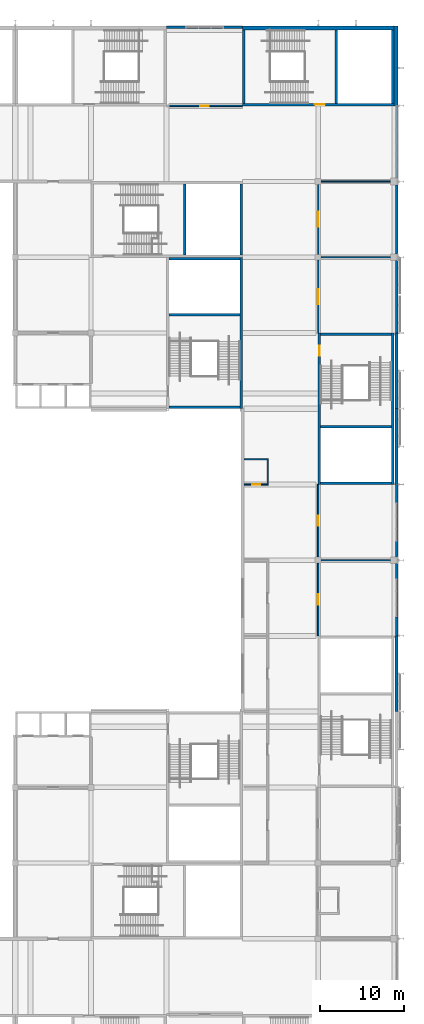
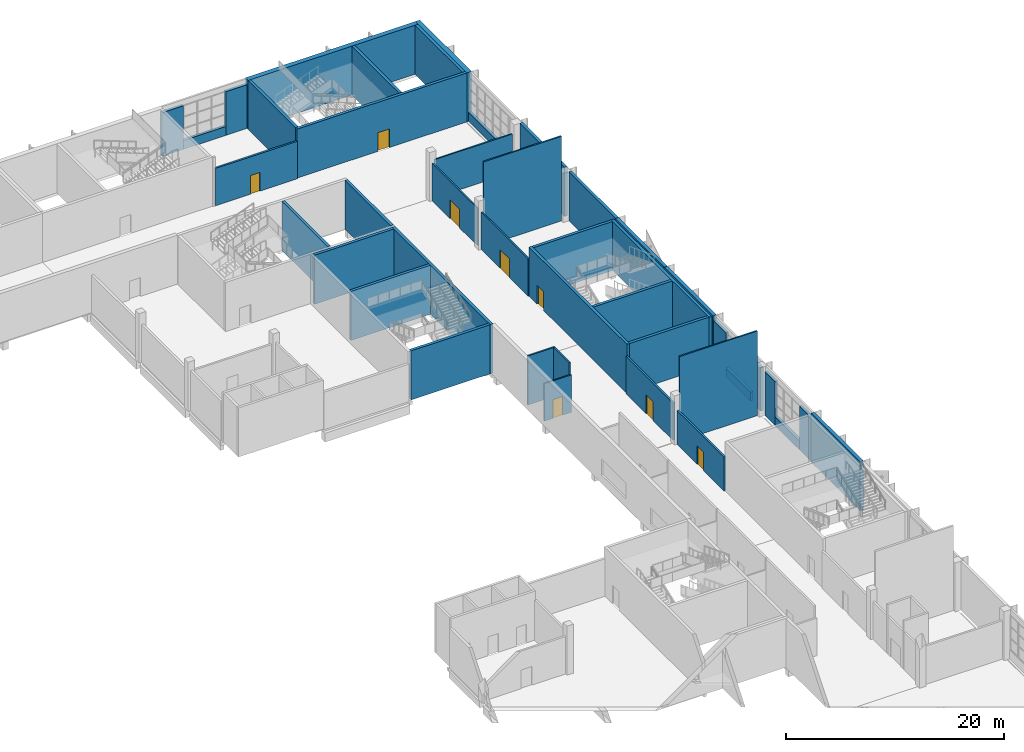
# One storey, part 43 of 84: 43 walls, 8 doors, 8 openings.
"""IFC4 building model written with IfcOpenShell, lengths in metres."""

from ifc_helpers import new_model, si_unit, direction, frame, frame_2d, origin, place, context, subcontext, project, spatial, rectangle, extrude, material, layer, layer_set, type_object, element, fill, save


model = new_model("IFC4")

# Units and contexts
model_context = context("Model", 3, precision=1e-05, world=origin(), true_north=direction((0.0, 1.0)))
body_context = subcontext(model_context, "Body", "Model", "MODEL_VIEW")
ifc_project = project(units=[si_unit("LENGTHUNIT", "METRE"), si_unit("AREAUNIT", "SQUARE_METRE"), si_unit("VOLUMEUNIT", "CUBIC_METRE"), si_unit("PLANEANGLEUNIT", "RADIAN"), si_unit("MASSUNIT", "GRAM", prefix="KILO")], contexts=[model_context])

# Site, building, storey
site_placement = place(None, origin())
site = spatial("IfcSite", under=ifc_project, at=site_placement, CompositionType="ELEMENT")
building_placement = place(site_placement, origin())
building = spatial("IfcBuilding", under=site, at=building_placement, Name="Silverbay Arena", CompositionType="ELEMENT")
storey_placement = place(building_placement, frame((0.0, 0.0, 28.0)))
storey = spatial("IfcBuildingStorey", under=building, at=storey_placement, Name="L04", CompositionType="ELEMENT", Elevation=28.0)

# Walls
ifc_material_1 = material(Name="Anodised aluminium cladding on insulated backing", Category="aluminium")
ifc_layer_1 = layer(ifc_material_1, 0.300048828125)
ifc_layer_set_1 = layer_set([ifc_layer_1], Name="Anodised aluminium cladding on insulated backing")
wall_type_1 = type_object("IfcWallType", Name="Aluminium clad wall 300", PredefinedType="SOLIDWALL", material=ifc_layer_set_1)
wall_1_placement = place(storey_placement, frame((207.35009765625, 72.0, 0.0), z_axis=(0.0, 0.0, 1.0), x_axis=(0.0, 1.0, 0.0)))
element("IfcWall", 1, at=wall_1_placement, inside=storey, type_object=wall_type_1, Name="East external wall L04 bay 7 pier", PredefinedType="SOLIDWALL", context=body_context, shape_type="SweptSolid", body=[
    extrude(rectangle(XDim=2.25, YDim=0.300048828125, at=frame_2d((1.125, 0.0))), origin(), (0.0, 0.0, 1.0), 4.89990234375),
])
wall_2_placement = place(storey_placement, frame((207.35009765625, 78.75, 0.0), z_axis=(0.0, 0.0, 1.0), x_axis=(0.0, 1.0, 0.0)))
element("IfcWall", 2, at=wall_2_placement, inside=storey, type_object=wall_type_1, Name="East external wall L04 bay 7 pier", PredefinedType="SOLIDWALL", context=body_context, shape_type="SweptSolid", body=[
    extrude(rectangle(XDim=1.85009765625, YDim=0.300048828125, at=frame_2d((0.925048828125, 0.0))), origin(), (0.0, 0.0, 1.0), 4.89990234375),
])
wall_3_placement = place(storey_placement, frame((207.35009765625, 74.25, 0.0), z_axis=(0.0, 0.0, 1.0), x_axis=(0.0, 1.0, 0.0)))
element("IfcWall", 3, at=wall_3_placement, inside=storey, type_object=wall_type_1, Name="East external wall L04 bay 7 sill wall", PredefinedType="SOLIDWALL", context=body_context, shape_type="SweptSolid", body=[
    extrude(rectangle(XDim=4.5, YDim=0.300048828125, at=frame_2d((2.25, 0.0))), origin(), (0.0, 0.0, 1.0), 1.0),
])
wall_4_placement = place(storey_placement, frame((207.35009765625, 81.39990234375, 0.0), z_axis=(0.0, 0.0, 1.0), x_axis=(0.0, 1.0, 0.0)))
element("IfcWall", 4, at=wall_4_placement, inside=storey, type_object=wall_type_1, Name="East external wall L04 bay 8 pier", PredefinedType="SOLIDWALL", context=body_context, shape_type="SweptSolid", body=[
    extrude(rectangle(XDim=1.85009765625, YDim=0.300048828125, at=frame_2d((0.925048828125, 0.0))), origin(), (0.0, 0.0, 1.0), 4.89990234375),
])
wall_5_placement = place(storey_placement, frame((207.35009765625, 87.75, 0.0), z_axis=(0.0, 0.0, 1.0), x_axis=(0.0, 1.0, 0.0)))
element("IfcWall", 5, at=wall_5_placement, inside=storey, type_object=wall_type_1, Name="East external wall L04 bay 8 pier", PredefinedType="SOLIDWALL", context=body_context, shape_type="SweptSolid", body=[
    extrude(rectangle(XDim=2.25, YDim=0.300048828125, at=frame_2d((1.125, 0.0))), origin(), (0.0, 0.0, 1.0), 4.89990234375),
])
wall_6_placement = place(storey_placement, frame((207.35009765625, 83.25, 0.0), z_axis=(0.0, 0.0, 1.0), x_axis=(0.0, 1.0, 0.0)))
element("IfcWall", 6, at=wall_6_placement, inside=storey, type_object=wall_type_1, Name="East external wall L04 bay 8 sill wall", PredefinedType="SOLIDWALL", context=body_context, shape_type="SweptSolid", body=[
    extrude(rectangle(XDim=4.5, YDim=0.300048828125, at=frame_2d((2.25, 0.0))), origin(), (0.0, 0.0, 1.0), 1.0),
])
wall_7_placement = place(storey_placement, frame((207.35009765625, 108.0, 0.0), z_axis=(0.0, 0.0, 1.0), x_axis=(0.0, 1.0, 0.0)))
element("IfcWall", 7, at=wall_7_placement, inside=storey, type_object=wall_type_1, Name="East external wall L04 bay 11", PredefinedType="SOLIDWALL", context=body_context, shape_type="SweptSolid", body=[
    extrude(rectangle(XDim=8.60009765625, YDim=0.300048828125, at=frame_2d((4.300048828125, 0.0))), origin(), (0.0, 0.0, 1.0), 5.5),
])
wall_8_placement = place(storey_placement, frame((207.35009765625, 117.39990234375, 0.0), z_axis=(0.0, 0.0, 1.0), x_axis=(0.0, 1.0, 0.0)))
element("IfcWall", 8, at=wall_8_placement, inside=storey, type_object=wall_type_1, Name="East external wall L04 bay 12", PredefinedType="SOLIDWALL", context=body_context, shape_type="SweptSolid", body=[
    extrude(rectangle(XDim=8.2001953125, YDim=0.300048828125, at=frame_2d((4.10009765625, 0.0))), origin(), (0.0, 0.0, 1.0), 5.5),
])
wall_9_placement = place(storey_placement, frame((207.35009765625, 126.39990234375, 0.0), z_axis=(0.0, 0.0, 1.0), x_axis=(0.0, 1.0, 0.0)))
element("IfcWall", 9, at=wall_9_placement, inside=storey, type_object=wall_type_1, Name="East sill wall L04 bay 13", PredefinedType="SOLIDWALL", context=body_context, shape_type="SweptSolid", body=[
    extrude(rectangle(XDim=8.60009765625, YDim=0.300048828125, at=frame_2d((4.300048828125, 0.0))), origin(), (0.0, 0.0, 1.0), 1.0),
])
for number, where, z_axis, x_axis, name in (
    (10, (182.25, 144.35009765625, 0.0), (0.0, 0.0, 1.0), (-1.0, 0.0, 0.0), "North external wall L04 bay 15 pier"),
    (11, (189.0, 144.35009765625, 0.0), (0.0, 0.0, 1.0), (-1.0, 0.0, 0.0), "North external wall L04 bay 15 pier"),
):
    element("IfcWall", number, at=place(storey_placement, frame(where, z_axis=z_axis, x_axis=x_axis)), inside=storey, type_object=wall_type_1, Name=name, PredefinedType="SOLIDWALL", context=body_context, shape_type="SweptSolid", body=[
        extrude(rectangle(XDim=2.25, YDim=0.300048828125, at=frame_2d((1.125, 0.0))), origin(), (0.0, 0.0, 1.0), 4.89990234375),
    ])
wall_10_placement = place(storey_placement, frame((186.75, 144.35009765625, 0.0), z_axis=(0.0, 0.0, 1.0), x_axis=(-1.0, 0.0, 0.0)))
element("IfcWall", 12, at=wall_10_placement, inside=storey, type_object=wall_type_1, Name="North external wall L04 bay 15 sill wall", PredefinedType="SOLIDWALL", context=body_context, shape_type="SweptSolid", body=[
    extrude(rectangle(XDim=4.5, YDim=0.300048828125, at=frame_2d((2.25, 0.0))), origin(), (0.0, 0.0, 1.0), 1.0),
])

# Wall, opening, door
ifc_material_2 = material(Name="Concrete Grade C45", Category="concrete")
ifc_layer_2 = layer(ifc_material_2, 0.300048828125)
ifc_layer_set_2 = layer_set([ifc_layer_2], Name="Concrete Grade C45")
wall_type_2 = type_object("IfcWallType", Name="Core wall RC 300 EI 120", PredefinedType="SHEAR", material=ifc_layer_set_2)
wall_11_placement = place(storey_placement, frame((189.0, 135.14990234375, 0.0), z_axis=(0.0, 0.0, 1.0), x_axis=(1.0, 0.0, 0.0)))
wall_11 = element("IfcWall", 13, at=wall_11_placement, inside=storey, type_object=wall_type_2, Name="Core wall ST-N6 L04 door side", PredefinedType="SHEAR", context=body_context, shape_type="SweptSolid", body=[
    extrude(rectangle(XDim=18.0, YDim=0.300048828125, at=frame_2d((9.0, 0.0))), origin(), (0.0, 0.0, 1.0), 5.5),
])
opening_1_placement = place(wall_11_placement, frame((8.60009765625, 0.0, 0.0)))
opening_1 = element("IfcOpeningElement", 14, at=opening_1_placement, cuts=wall_11, Name="Opening L04-066", PredefinedType="OPENING", context=body_context, shape_type="SweptSolid", body=[
    extrude(rectangle(XDim=1.199951171875, YDim=2.10009765625, at=frame_2d((0.60009765625, 1.050048828125))), frame((0.0, 0.16015625, 0.0), z_axis=(0.0, -1.0, 0.0), x_axis=(1.0, 0.0, 0.0)), (0.0, 0.0, 1.0), 0.320068359375),
])
ifc_material_3 = material(Name="Steel fire door", Category="steel")
door_type_1 = type_object("IfcDoorType", Name="Stair door 1200 x 2100 fire door", OperationType="SINGLE_SWING_LEFT", PredefinedType="DOOR", material=ifc_material_3)
door_1_placement = place(opening_1_placement, origin())
door_1 = element("IfcDoor", 15, at=door_1_placement, inside=storey, type_object=door_type_1, Name="Stair door ST-N6 L04", OperationType="SINGLE_SWING_RIGHT", OverallHeight=2.10009765625, OverallWidth=1.199951171875, PredefinedType="DOOR", context=body_context, shape_type="SweptSolid", body=[
    extrude(rectangle(XDim=1.199951171875, YDim=2.10009765625, at=frame_2d((0.60009765625, 1.050048828125))), frame((0.0, 0.02490234375, 0.0), z_axis=(0.0, -1.0, 0.0), x_axis=(1.0, 0.0, 0.0)), (0.0, 0.0, 1.0), 0.050048828125),
])
fill(opening_1, door_1)

# Walls
for number, where, z_axis, x_axis, name in (
    (16, (189.14990234375, 135.300048828125, 0.0), (0.0, 0.0, 1.0), (0.0, 1.0, 0.0), "Core wall ST-N6 L04 end 1"),
    (17, (206.85009765625, 135.300048828125, 0.0), (0.0, 0.0, 1.0), (0.0, 1.0, 0.0), "Core wall ST-N6 L04 end 2"),
    (18, (200.14990234375, 135.300048828125, 0.0), (0.0, 0.0, 1.0), (0.0, 1.0, 0.0), "Core wall ST-N6 L04 stair enclosure"),
):
    element("IfcWall", number, at=place(storey_placement, frame(where, z_axis=z_axis, x_axis=x_axis)), inside=storey, type_object=wall_type_2, Name=name, PredefinedType="SHEAR", context=body_context, shape_type="SweptSolid", body=[
        extrude(rectangle(XDim=8.699951171875, YDim=0.300048828125, at=frame_2d((4.35009765625, 0.0))), origin(), (0.0, 0.0, 1.0), 5.5),
    ])

# Wall, opening, door
wall_12_placement = place(storey_placement, frame((198.14990234375, 108.0, 0.0), z_axis=(0.0, 0.0, 1.0), x_axis=(0.0, -1.0, 0.0)))
wall_12 = element("IfcWall", 19, at=wall_12_placement, inside=storey, type_object=wall_type_2, Name="Core wall ST-E2 L04 door side", PredefinedType="SHEAR", context=body_context, shape_type="SweptSolid", body=[
    extrude(rectangle(XDim=18.0, YDim=0.300048828125, at=frame_2d((9.0, 0.0))), origin(), (0.0, 0.0, 1.0), 5.5),
])
opening_2_placement = place(wall_12_placement, frame((1.5, 0.0, 0.0)))
opening_2 = element("IfcOpeningElement", 20, at=opening_2_placement, cuts=wall_12, Name="Opening L04-070", PredefinedType="OPENING", context=body_context, shape_type="SweptSolid", body=[
    extrude(rectangle(XDim=1.199951171875, YDim=2.10009765625, at=frame_2d((0.60009765625, 1.050048828125))), frame((0.0, 0.16015625, 0.0), z_axis=(0.0, -1.0, 0.0), x_axis=(1.0, 0.0, 0.0)), (0.0, 0.0, 1.0), 0.320068359375),
])
door_2_placement = place(opening_2_placement, origin())
door_2 = element("IfcDoor", 21, at=door_2_placement, inside=storey, type_object=door_type_1, Name="Stair door ST-E2 L04", OperationType="SINGLE_SWING_LEFT", OverallHeight=2.10009765625, OverallWidth=1.199951171875, PredefinedType="DOOR", context=body_context, shape_type="SweptSolid", body=[
    extrude(rectangle(XDim=1.199951171875, YDim=2.10009765625, at=frame_2d((0.60009765625, 1.050048828125))), frame((0.0, 0.02490234375, 0.0), z_axis=(0.0, -1.0, 0.0), x_axis=(1.0, 0.0, 0.0)), (0.0, 0.0, 1.0), 0.050048828125),
])
fill(opening_2, door_2)

# Walls
wall_13_placement = place(storey_placement, frame((206.85009765625, 108.0, 0.0), z_axis=(0.0, 0.0, 1.0), x_axis=(0.0, -1.0, 0.0)))
element("IfcWall", 22, at=wall_13_placement, inside=storey, type_object=wall_type_2, Name="Core wall ST-E2 L04 far side", PredefinedType="SHEAR", context=body_context, shape_type="SweptSolid", body=[
    extrude(rectangle(XDim=18.0, YDim=0.300048828125, at=frame_2d((9.0, 0.0))), origin(), (0.0, 0.0, 1.0), 5.5),
])
for number, where, z_axis, x_axis, name in (
    (23, (198.300048828125, 107.85009765625, 0.0), (0.0, 0.0, 1.0), (1.0, 0.0, 0.0), "Core wall ST-E2 L04 end 1"),
    (24, (198.300048828125, 90.14990234375, 0.0), (0.0, 0.0, 1.0), (1.0, 0.0, 0.0), "Core wall ST-E2 L04 end 2"),
    (25, (198.300048828125, 96.85009765625, 0.0), (0.0, 0.0, 1.0), (1.0, 0.0, 0.0), "Core wall ST-E2 L04 stair enclosure"),
    (26, (188.85009765625, 117.300048828125, 0.0), (0.0, 0.0, 1.0), (0.0, 1.0, 0.0), "Core wall ST-NE1 L04 end 2"),
    (27, (182.14990234375, 117.300048828125, 0.0), (0.0, 0.0, 1.0), (0.0, 1.0, 0.0), "Core wall ST-NE1 L04 stair enclosure"),
):
    element("IfcWall", number, at=place(storey_placement, frame(where, z_axis=z_axis, x_axis=x_axis)), inside=storey, type_object=wall_type_2, Name=name, PredefinedType="SHEAR", context=body_context, shape_type="SweptSolid", body=[
        extrude(rectangle(XDim=8.39990234375, YDim=0.300048828125, at=frame_2d((4.199951171875, 0.0))), origin(), (0.0, 0.0, 1.0), 5.5),
    ])
wall_14_placement = place(storey_placement, frame((188.85009765625, 99.0, 0.0), z_axis=(0.0, 0.0, 1.0), x_axis=(0.0, 1.0, 0.0)))
element("IfcWall", 28, at=wall_14_placement, inside=storey, type_object=wall_type_2, Name="Core wall ST-NE2 L04 far side", PredefinedType="SHEAR", context=body_context, shape_type="SweptSolid", body=[
    extrude(rectangle(XDim=18.0, YDim=0.300048828125, at=frame_2d((9.0, 0.0))), origin(), (0.0, 0.0, 1.0), 5.5),
])
for number, where, z_axis, x_axis, name in (
    (29, (180.300048828125, 99.14990234375, 0.0), (0.0, 0.0, 1.0), (1.0, 0.0, 0.0), "Core wall ST-NE2 L04 end 1"),
    (30, (180.300048828125, 116.85009765625, 0.0), (0.0, 0.0, 1.0), (1.0, 0.0, 0.0), "Core wall ST-NE2 L04 end 2"),
    (31, (180.300048828125, 110.14990234375, 0.0), (0.0, 0.0, 1.0), (1.0, 0.0, 0.0), "Core wall ST-NE2 L04 stair enclosure"),
):
    element("IfcWall", number, at=place(storey_placement, frame(where, z_axis=z_axis, x_axis=x_axis)), inside=storey, type_object=wall_type_2, Name=name, PredefinedType="SHEAR", context=body_context, shape_type="SweptSolid", body=[
        extrude(rectangle(XDim=8.39990234375, YDim=0.300048828125, at=frame_2d((4.199951171875, 0.0))), origin(), (0.0, 0.0, 1.0), 5.5),
    ])
ifc_material_4 = material(Name="Concrete Grade C45", Category="concrete")
ifc_layer_3 = layer(ifc_material_4, 0.5)
ifc_layer_set_3 = layer_set([ifc_layer_3], Name="Concrete Grade C45")
wall_type_3 = type_object("IfcWallType", Name="Core wall RC 500 external EI 120", PredefinedType="SHEAR", material=ifc_layer_set_3)
wall_15_placement = place(storey_placement, frame((189.0, 144.25, 0.0), z_axis=(0.0, 0.0, 1.0), x_axis=(1.0, 0.0, 0.0)))
element("IfcWall", 32, at=wall_15_placement, inside=storey, type_object=wall_type_3, Name="Core wall ST-N6 L04 facade side", PredefinedType="SHEAR", context=body_context, shape_type="SweptSolid", body=[
    extrude(rectangle(XDim=18.0, YDim=0.5, at=frame_2d((9.0, 0.0))), origin(), (0.0, 0.0, 1.0), 5.5),
])
ifc_material_5 = material(Name="Gypsum board partition on steel studs", Category="steel")
ifc_layer_4 = layer(ifc_material_5, 0.14990234375)
ifc_layer_set_4 = layer_set([ifc_layer_4], Name="Gypsum board partition on steel studs")
wall_type_4 = type_object("IfcWallType", Name="Partition 150 EI 60", PredefinedType="PARTITIONING", material=ifc_layer_set_4)
wall_16_placement = place(storey_placement, frame((198.35009765625, 81.0, 0.0), z_axis=(0.0, 0.0, 1.0), x_axis=(1.0, 0.0, 0.0)))
element("IfcWall", 33, at=wall_16_placement, inside=storey, type_object=wall_type_4, Name="Partition wall", PredefinedType="PARTITIONING", context=body_context, shape_type="SweptSolid", body=[
    extrude(rectangle(XDim=8.25, YDim=0.14990234375, at=frame_2d((4.125, 0.0))), origin(), (0.0, 0.0, 1.0), 9.5),
])

# Wall, opening, door
wall_17_placement = place(storey_placement, frame((189.199951171875, 90.0, 0.0), z_axis=(0.0, 0.0, 1.0), x_axis=(1.0, 0.0, 0.0)))
wall_17 = element("IfcWall", 34, at=wall_17_placement, inside=storey, type_object=wall_type_4, Name="Partition wall", PredefinedType="PARTITIONING", context=body_context, shape_type="SweptSolid", body=[
    extrude(rectangle(XDim=2.875, YDim=0.14990234375, at=frame_2d((1.4375, 0.0))), origin(), (0.0, 0.0, 1.0), 4.199951171875),
])
opening_3_placement = place(wall_17_placement, frame((0.93798828125, 0.0, 0.0)))
opening_3 = element("IfcOpeningElement", 35, at=opening_3_placement, cuts=wall_17, Name="Opening L04-050", PredefinedType="OPENING", context=body_context, shape_type="SweptSolid", body=[
    extrude(rectangle(XDim=1.0, YDim=2.10009765625, at=frame_2d((0.5, 1.050048828125))), frame((0.0, 0.0849609375, 0.0), z_axis=(0.0, -1.0, 0.0), x_axis=(1.0, 0.0, 0.0)), (0.0, 0.0, 1.0), 0.169921875),
])
ifc_material_6 = material(Name="Steel faced timber", Category="steel")
door_type_2 = type_object("IfcDoorType", Name="Single leaf door 1000 x 2100 FD30S", OperationType="SINGLE_SWING_LEFT", PredefinedType="DOOR", material=ifc_material_6)
door_3_placement = place(opening_3_placement, origin())
door_3 = element("IfcDoor", 36, at=door_3_placement, inside=storey, type_object=door_type_2, Name="Door L04-050", OperationType="SINGLE_SWING_RIGHT", OverallHeight=2.10009765625, OverallWidth=1.0, PredefinedType="DOOR", context=body_context, shape_type="SweptSolid", body=[
    extrude(rectangle(XDim=1.0, YDim=2.10009765625, at=frame_2d((0.5, 1.050048828125))), frame((0.0, 0.02490234375, 0.0), z_axis=(0.0, -1.0, 0.0), x_axis=(1.0, 0.0, 0.0)), (0.0, 0.0, 1.0), 0.050048828125),
])
fill(opening_3, door_3)

# Walls
wall_18_placement = place(storey_placement, frame((189.199951171875, 93.0, 0.0), z_axis=(0.0, 0.0, 1.0), x_axis=(1.0, 0.0, 0.0)))
element("IfcWall", 37, at=wall_18_placement, inside=storey, type_object=wall_type_4, Name="Partition wall", PredefinedType="PARTITIONING", context=body_context, shape_type="SweptSolid", body=[
    extrude(rectangle(XDim=2.875, YDim=0.14990234375, at=frame_2d((1.4375, 0.0))), origin(), (0.0, 0.0, 1.0), 5.5),
])
wall_19_placement = place(storey_placement, frame((198.35009765625, 117.0, 0.0), z_axis=(0.0, 0.0, 1.0), x_axis=(1.0, 0.0, 0.0)))
element("IfcWall", 38, at=wall_19_placement, inside=storey, type_object=wall_type_4, Name="Partition wall", PredefinedType="PARTITIONING", context=body_context, shape_type="SweptSolid", body=[
    extrude(rectangle(XDim=8.25, YDim=0.14990234375, at=frame_2d((4.125, 0.0))), origin(), (0.0, 0.0, 1.0), 9.5),
])
wall_20_placement = place(storey_placement, frame((198.35009765625, 126.0, 0.0), z_axis=(0.0, 0.0, 1.0), x_axis=(1.0, 0.0, 0.0)))
element("IfcWall", 39, at=wall_20_placement, inside=storey, type_object=wall_type_4, Name="Partition wall", PredefinedType="PARTITIONING", context=body_context, shape_type="SweptSolid", body=[
    extrude(rectangle(XDim=8.25, YDim=0.14990234375, at=frame_2d((4.125, 0.0))), origin(), (0.0, 0.0, 1.0), 4.300048828125),
])
wall_21_placement = place(storey_placement, frame((192.0, 90.074951171875, 0.0), z_axis=(0.0, 0.0, 1.0), x_axis=(0.0, 1.0, 0.0)))
element("IfcWall", 40, at=wall_21_placement, inside=storey, type_object=wall_type_4, Name="Partition wall", PredefinedType="PARTITIONING", context=body_context, shape_type="SweptSolid", body=[
    extrude(rectangle(XDim=2.85009765625, YDim=0.14990234375, at=frame_2d((1.425048828125, 0.0))), origin(), (0.0, 0.0, 1.0), 5.5),
])

# Wall, opening, door
wall_22_placement = place(storey_placement, frame((198.0, 108.0, 0.0), z_axis=(0.0, 0.0, 1.0), x_axis=(0.0, 1.0, 0.0)))
wall_22 = element("IfcWall", 41, at=wall_22_placement, inside=storey, type_object=wall_type_4, Name="Partition wall", PredefinedType="PARTITIONING", context=body_context, shape_type="SweptSolid", body=[
    extrude(rectangle(XDim=8.64990234375, YDim=0.14990234375, at=frame_2d((4.324951171875, 0.0))), origin(), (0.0, 0.0, 1.0), 4.199951171875),
])
opening_4_placement = place(wall_22_placement, frame((3.425048828125, 0.0, 0.0)))
opening_4 = element("IfcOpeningElement", 42, at=opening_4_placement, cuts=wall_22, Name="Opening L04-017", PredefinedType="OPENING", context=body_context, shape_type="SweptSolid", body=[
    extrude(rectangle(XDim=1.800048828125, YDim=2.10009765625, at=frame_2d((0.89990234375, 1.050048828125))), frame((0.0, 0.0849609375, 0.0), z_axis=(0.0, -1.0, 0.0), x_axis=(1.0, 0.0, 0.0)), (0.0, 0.0, 1.0), 0.169921875),
])
ifc_material_7 = material(Name="Steel faced timber", Category="steel")
door_type_3 = type_object("IfcDoorType", Name="Double leaf door 1800 x 2100 FD30S", OperationType="DOUBLE_DOOR_DOUBLE_SWING", PredefinedType="DOOR", material=ifc_material_7)
door_4_placement = place(opening_4_placement, frame((1.800048828125, 0.0, 0.0), z_axis=(0.0, 0.0, 1.0), x_axis=(-1.0, 0.0, 0.0)))
door_4 = element("IfcDoor", 43, at=door_4_placement, inside=storey, type_object=door_type_3, Name="Door L04-017", OperationType="DOUBLE_DOOR_DOUBLE_SWING", OverallHeight=2.10009765625, OverallWidth=1.800048828125, PredefinedType="DOOR", context=body_context, shape_type="SweptSolid", body=[
    extrude(rectangle(XDim=1.800048828125, YDim=2.10009765625, at=frame_2d((0.89990234375, 1.050048828125))), frame((0.0, 0.02490234375, 0.0), z_axis=(0.0, -1.0, 0.0), x_axis=(1.0, 0.0, 0.0)), (0.0, 0.0, 1.0), 0.050048828125),
])
fill(opening_4, door_4)

wall_23_placement = place(storey_placement, frame((198.0, 117.35009765625, 0.0), z_axis=(0.0, 0.0, 1.0), x_axis=(0.0, 1.0, 0.0)))
wall_23 = element("IfcWall", 44, at=wall_23_placement, inside=storey, type_object=wall_type_4, Name="Partition wall", PredefinedType="PARTITIONING", context=body_context, shape_type="SweptSolid", body=[
    extrude(rectangle(XDim=8.2998046875, YDim=0.14990234375, at=frame_2d((4.14990234375, 0.0))), origin(), (0.0, 0.0, 1.0), 4.199951171875),
])
opening_5_placement = place(wall_23_placement, frame((3.25, 0.0, 0.0)))
opening_5 = element("IfcOpeningElement", 45, at=opening_5_placement, cuts=wall_23, Name="Opening L04-018", PredefinedType="OPENING", context=body_context, shape_type="SweptSolid", body=[
    extrude(rectangle(XDim=1.800048828125, YDim=2.10009765625, at=frame_2d((0.89990234375, 1.050048828125))), frame((0.0, 0.0849609375, 0.0), z_axis=(0.0, -1.0, 0.0), x_axis=(1.0, 0.0, 0.0)), (0.0, 0.0, 1.0), 0.169921875),
])
door_5_placement = place(opening_5_placement, frame((1.800048828125, 0.0, 0.0), z_axis=(0.0, 0.0, 1.0), x_axis=(-1.0, 0.0, 0.0)))
door_5 = element("IfcDoor", 46, at=door_5_placement, inside=storey, type_object=door_type_3, Name="Door L04-018", OperationType="DOUBLE_DOOR_DOUBLE_SWING", OverallHeight=2.10009765625, OverallWidth=1.800048828125, PredefinedType="DOOR", context=body_context, shape_type="SweptSolid", body=[
    extrude(rectangle(XDim=1.800048828125, YDim=2.10009765625, at=frame_2d((0.89990234375, 1.050048828125))), frame((0.0, 0.02490234375, 0.0), z_axis=(0.0, -1.0, 0.0), x_axis=(1.0, 0.0, 0.0)), (0.0, 0.0, 1.0), 0.050048828125),
])
fill(opening_5, door_5)

ifc_material_8 = material(Name="Masonry blockwork partition", Category="masonry")
ifc_layer_5 = layer(ifc_material_8, 0.199951171875)
ifc_layer_set_5 = layer_set([ifc_layer_5], Name="Masonry blockwork partition")
wall_type_5 = type_object("IfcWallType", Name="Partition 200 EI 120", PredefinedType="PARTITIONING", material=ifc_layer_set_5)
wall_24_placement = place(storey_placement, frame((180.300048828125, 135.0, 0.0), z_axis=(0.0, 0.0, 1.0), x_axis=(1.0, 0.0, 0.0)))
wall_24 = element("IfcWall", 47, at=wall_24_placement, inside=storey, type_object=wall_type_5, Name="Partition wall", PredefinedType="PARTITIONING", context=body_context, shape_type="SweptSolid", body=[
    extrude(rectangle(XDim=8.699951171875, YDim=0.199951171875, at=frame_2d((4.35009765625, 0.0))), origin(), (0.0, 0.0, 1.0), 4.199951171875),
])
opening_6_placement = place(wall_24_placement, frame((3.699951171875, 0.0, 0.0)))
opening_6 = element("IfcOpeningElement", 48, at=opening_6_placement, cuts=wall_24, Name="Opening L04-006", PredefinedType="OPENING", context=body_context, shape_type="SweptSolid", body=[
    extrude(rectangle(XDim=1.0, YDim=2.10009765625, at=frame_2d((0.5, 1.050048828125))), frame((0.0, 0.10986328125, 0.0), z_axis=(0.0, -1.0, 0.0), x_axis=(1.0, 0.0, 0.0)), (0.0, 0.0, 1.0), 0.219970703125),
])
ifc_material_9 = material(Name="Steel faced timber", Category="steel")
door_type_4 = type_object("IfcDoorType", Name="Single leaf door 1000 x 2100 FD120", OperationType="SINGLE_SWING_LEFT", PredefinedType="DOOR", material=ifc_material_9)
door_6_placement = place(opening_6_placement, origin())
door_6 = element("IfcDoor", 49, at=door_6_placement, inside=storey, type_object=door_type_4, Name="Door L04-006", OperationType="SINGLE_SWING_RIGHT", OverallHeight=2.10009765625, OverallWidth=1.0, PredefinedType="DOOR", context=body_context, shape_type="SweptSolid", body=[
    extrude(rectangle(XDim=1.0, YDim=2.10009765625, at=frame_2d((0.5, 1.050048828125))), frame((0.0, 0.02490234375, 0.0), z_axis=(0.0, -1.0, 0.0), x_axis=(1.0, 0.0, 0.0)), (0.0, 0.0, 1.0), 0.050048828125),
])
fill(opening_6, door_6)

wall_25_placement = place(storey_placement, frame((198.0, 72.0, 0.0), z_axis=(0.0, 0.0, 1.0), x_axis=(0.0, 1.0, 0.0)))
wall_25 = element("IfcWall", 50, at=wall_25_placement, inside=storey, type_object=wall_type_5, Name="Partition wall", PredefinedType="PARTITIONING", context=body_context, shape_type="SweptSolid", body=[
    extrude(rectangle(XDim=8.64990234375, YDim=0.199951171875, at=frame_2d((4.324951171875, 0.0))), origin(), (0.0, 0.0, 1.0), 3.800048828125),
])
opening_7_placement = place(wall_25_placement, frame((3.72509765625, 0.0, 0.0)))
opening_7 = element("IfcOpeningElement", 51, at=opening_7_placement, cuts=wall_25, Name="Opening L04-015", PredefinedType="OPENING", context=body_context, shape_type="SweptSolid", body=[
    extrude(rectangle(XDim=1.199951171875, YDim=2.10009765625, at=frame_2d((0.60009765625, 1.050048828125))), frame((0.0, 0.10986328125, 0.0), z_axis=(0.0, -1.0, 0.0), x_axis=(1.0, 0.0, 0.0)), (0.0, 0.0, 1.0), 0.219970703125),
])
ifc_material_10 = material(Name="Steel faced timber", Category="steel")
door_type_5 = type_object("IfcDoorType", Name="Single leaf door 1200 x 2100 FD120", OperationType="SINGLE_SWING_LEFT", PredefinedType="DOOR", material=ifc_material_10)
door_7_placement = place(opening_7_placement, frame((1.199951171875, 0.0, 0.0), z_axis=(0.0, 0.0, 1.0), x_axis=(-1.0, 0.0, 0.0)))
door_7 = element("IfcDoor", 52, at=door_7_placement, inside=storey, type_object=door_type_5, Name="Door L04-015", OperationType="SINGLE_SWING_RIGHT", OverallHeight=2.10009765625, OverallWidth=1.199951171875, PredefinedType="DOOR", context=body_context, shape_type="SweptSolid", body=[
    extrude(rectangle(XDim=1.199951171875, YDim=2.10009765625, at=frame_2d((0.60009765625, 1.050048828125))), frame((0.0, 0.02490234375, 0.0), z_axis=(0.0, -1.0, 0.0), x_axis=(1.0, 0.0, 0.0)), (0.0, 0.0, 1.0), 0.050048828125),
])
fill(opening_7, door_7)

wall_26_placement = place(storey_placement, frame((198.0, 81.35009765625, 0.0), z_axis=(0.0, 0.0, 1.0), x_axis=(0.0, 1.0, 0.0)))
wall_26 = element("IfcWall", 53, at=wall_26_placement, inside=storey, type_object=wall_type_5, Name="Partition wall", PredefinedType="PARTITIONING", context=body_context, shape_type="SweptSolid", body=[
    extrude(rectangle(XDim=8.64990234375, YDim=0.199951171875, at=frame_2d((4.324951171875, 0.0))), origin(), (0.0, 0.0, 1.0), 4.199951171875),
])
opening_8_placement = place(wall_26_placement, frame((3.72509765625, 0.0, 0.0)))
opening_8 = element("IfcOpeningElement", 54, at=opening_8_placement, cuts=wall_26, Name="Opening L04-016", PredefinedType="OPENING", context=body_context, shape_type="SweptSolid", body=[
    extrude(rectangle(XDim=1.199951171875, YDim=2.10009765625, at=frame_2d((0.60009765625, 1.050048828125))), frame((0.0, 0.10986328125, 0.0), z_axis=(0.0, -1.0, 0.0), x_axis=(1.0, 0.0, 0.0)), (0.0, 0.0, 1.0), 0.219970703125),
])
door_8_placement = place(opening_8_placement, frame((1.199951171875, 0.0, 0.0), z_axis=(0.0, 0.0, 1.0), x_axis=(-1.0, 0.0, 0.0)))
door_8 = element("IfcDoor", 55, at=door_8_placement, inside=storey, type_object=door_type_5, Name="Door L04-016", OperationType="SINGLE_SWING_LEFT", OverallHeight=2.10009765625, OverallWidth=1.199951171875, PredefinedType="DOOR", context=body_context, shape_type="SweptSolid", body=[
    extrude(rectangle(XDim=1.199951171875, YDim=2.10009765625, at=frame_2d((0.60009765625, 1.050048828125))), frame((0.0, 0.02490234375, 0.0), z_axis=(0.0, -1.0, 0.0), x_axis=(1.0, 0.0, 0.0)), (0.0, 0.0, 1.0), 0.050048828125),
])
fill(opening_8, door_8)

# Walls
ifc_material_11 = material(Name="Concrete Grade C45", Category="concrete")
ifc_layer_6 = layer(ifc_material_11, 0.35009765625)
ifc_layer_set_6 = layer_set([ifc_layer_6], Name="Concrete Grade C45")
wall_type_6 = type_object("IfcWallType", Name="Stair core facade wall 350", PredefinedType="SOLIDWALL", material=ifc_layer_set_6)
for number, where, z_axis, x_axis, name in (
    (56, (207.324951171875, 63.0, 0.0), (0.0, 0.0, 1.0), (0.0, 1.0, 0.0), "East external wall L04 bay 6"),
    (57, (207.324951171875, 90.0, 0.0), (0.0, 0.0, 1.0), (0.0, 1.0, 0.0), "East external wall L04 bay 9"),
    (58, (207.324951171875, 99.0, 0.0), (0.0, 0.0, 1.0), (0.0, 1.0, 0.0), "East external wall L04 bay 10"),
):
    element("IfcWall", number, at=place(storey_placement, frame(where, z_axis=z_axis, x_axis=x_axis)), inside=storey, type_object=wall_type_6, Name=name, PredefinedType="SOLIDWALL", context=body_context, shape_type="SweptSolid", body=[
        extrude(rectangle(XDim=9.0, YDim=0.35009765625, at=frame_2d((4.5, 0.0))), origin(), (0.0, 0.0, 1.0), 5.5),
    ])
ifc_material_12 = material(Name="Concrete Grade C45", Category="concrete")
ifc_layer_7 = layer(ifc_material_12, 0.5)
ifc_layer_set_7 = layer_set([ifc_layer_7], Name="Concrete Grade C45")
wall_type_7 = type_object("IfcWallType", Name="Stair core facade wall 500", PredefinedType="SOLIDWALL", material=ifc_layer_set_7)
wall_27_placement = place(storey_placement, frame((207.25, 135.0, 0.0), z_axis=(0.0, 0.0, 1.0), x_axis=(0.0, 1.0, 0.0)))
element("IfcWall", 59, at=wall_27_placement, inside=storey, type_object=wall_type_7, Name="East stair core facade wall L04 bay 14", PredefinedType="SOLIDWALL", context=body_context, shape_type="SweptSolid", body=[
    extrude(rectangle(XDim=9.5, YDim=0.5, at=frame_2d((4.75, 0.0))), origin(), (0.0, 0.0, 1.0), 5.5),
])

save(model, "model.ifc")
